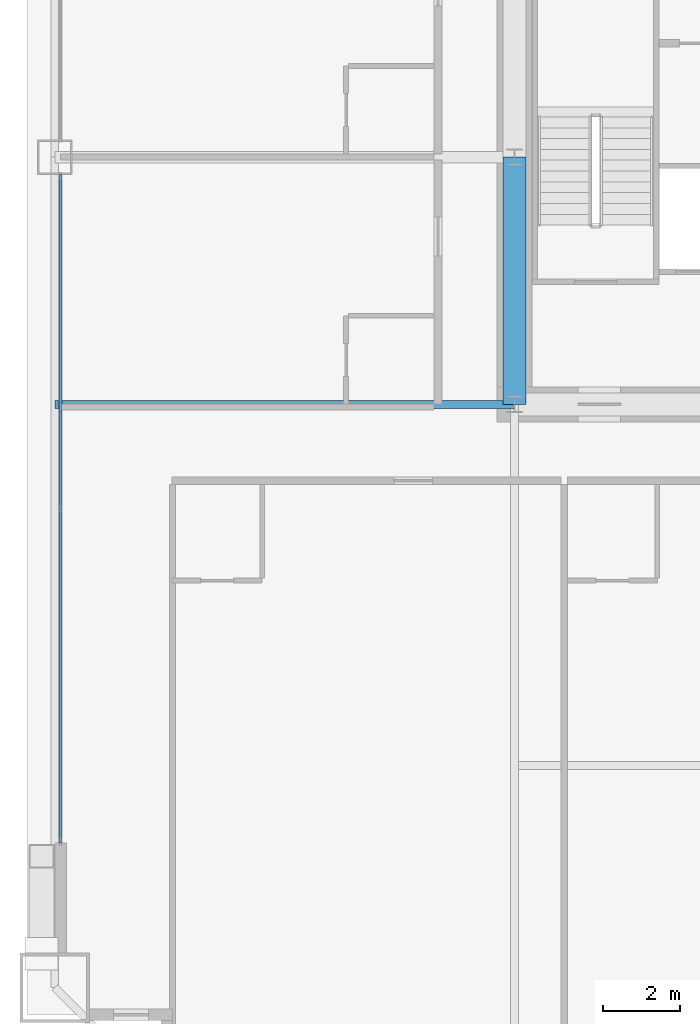
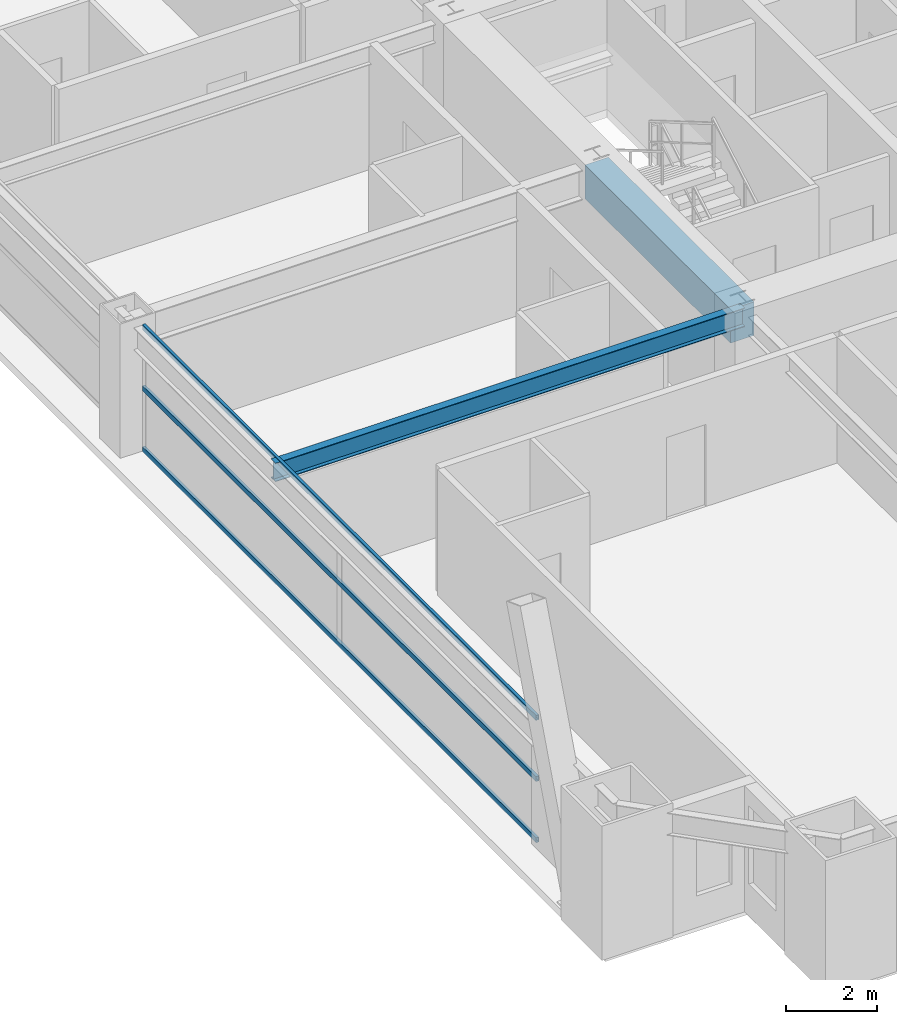
# One storey, part 10 of 43: 3 members, 2 beams, 1 element without a shape of its own.
"""IFC4 building model written with IfcOpenShell, lengths in metres."""

from ifc_helpers import new_model, si_unit, direction, frame, origin, origin_2d, place, context, subcontext, project, spatial, rectangle, hollow_rectangle, i_section, extrude, source, transform, mapped, material, layer, layer_set, material_profile, profile_set, type_object, element, aggregate, save


model = new_model("IFC4")

# Units and contexts
model_context = context("Model", 3, precision=1e-05, world=origin(), true_north=direction((0.0, 1.0)))
body_context = subcontext(model_context, "Body", "Model", "MODEL_VIEW")
ifc_project = project(units=[si_unit("LENGTHUNIT", "METRE"), si_unit("AREAUNIT", "SQUARE_METRE"), si_unit("VOLUMEUNIT", "CUBIC_METRE"), si_unit("PLANEANGLEUNIT", "RADIAN"), si_unit("MASSUNIT", "GRAM", prefix="KILO"), si_unit("THERMODYNAMICTEMPERATUREUNIT", "KELVIN"), si_unit("POWERUNIT", "WATT")], contexts=[model_context])

# Site, building, storey
site_placement = place(None, origin())
site = spatial("IfcSite", under=ifc_project, at=site_placement, CompositionType="ELEMENT")
building_placement = place(site_placement, origin())
building = spatial("IfcBuilding", under=site, at=building_placement, Name="Yuzanri Waterfront Tower", CompositionType="ELEMENT")
storey_placement = place(building_placement, frame((0.0, 0.0, 53.199951171875)))
storey = spatial("IfcBuildingStorey", under=building, at=storey_placement, Name="L13", CompositionType="ELEMENT", Elevation=53.199951171875)

# Beams
ifc_material_1 = material(Name="Concrete C60", Category="concrete")
ifc_material_profile_1 = material_profile(ifc_material_1, rectangle(XDim=0.60009765625, YDim=0.89990234375, at=origin_2d()), Name="RC 600x900")
ifc_profile_set_1 = profile_set([ifc_material_profile_1], Name="Concrete C60")
beam_type_1 = type_object("IfcBeamType", Name="Core Coupling Lintel Concrete C60 600x900", PredefinedType="LINTEL", material=ifc_profile_set_1)
shared_shape_1 = source(origin(), body_context, "Body", "SweptSolid", [
    extrude(rectangle(XDim=0.60009765625, YDim=0.89990234375, at=origin_2d()), origin(), (0.0, 0.0, 1.0), 6.400146484375),
])
beam_1_placement = place(storey_placement, frame((23.800048828125, 19.39990234375, 2.929931640625), z_axis=(0.0, 1.0, 0.0), x_axis=(-1.0, 0.0, 0.0)))
element("IfcBeam", 1, at=beam_1_placement, inside=storey, type_object=beam_type_1, Name="L13 Core Tie Beam CW1", PredefinedType="LINTEL", context=body_context, shape_type="MappedRepresentation", body=[
    mapped(shared_shape_1, transform((0.0, 0.0, 0.0), scale=1.0)),
])
ifc_material_2 = material(Name="Steel Q355B", Category="steel")
ifc_material_profile_2 = material_profile(ifc_material_2, i_section(OverallWidth=0.199951171875, OverallDepth=0.5, WebThickness=0.010009765625, FlangeThickness=0.01611328125, at=origin_2d()), Name="HN 500x200x10x16")
ifc_profile_set_2 = profile_set([ifc_material_profile_2], Name="Steel Q355B")
beam_type_2 = type_object("IfcBeamType", Name="Secondary Floor Beam Q355B HN 500x200", PredefinedType="BEAM", material=ifc_profile_set_2)
shared_shape_2 = source(origin(), body_context, "Body", "SweptSolid", [
    extrude(i_section(OverallWidth=0.199951171875, OverallDepth=0.5, WebThickness=0.010009765625, FlangeThickness=0.01611328125, at=origin_2d()), origin(), (0.0, 0.0, 1.0), 11.900146484375),
])
beam_2_placement = place(storey_placement, frame((23.800048828125, 19.39990234375, 3.130126953125), z_axis=(-1.0, 0.0, 0.0), x_axis=(0.0, -1.0, 0.0)))
element("IfcBeam", 2, at=beam_2_placement, inside=storey, type_object=beam_type_2, Name="L13 West-South Core Line Beam", PredefinedType="BEAM", context=body_context, shape_type="MappedRepresentation", body=[
    mapped(shared_shape_2, transform((0.0, 0.0, 0.0), scale=1.0)),
])

# Curtain wall, members
ifc_material_3 = material(Name="Anodized Architectural Bronze", Category="metal")
ifc_layer = layer(ifc_material_3, 0.159912109375)
ifc_layer_set = layer_set([ifc_layer], Name="Anodized Architectural Bronze")
curtain_wall_type = type_object("IfcCurtainWallType", Name="Anodized Bronze Hotel Lower-Tier Recessed Unitized Curtain Wall 8100", PredefinedType="NOTDEFINED", material=ifc_layer_set)
curtain_wall_placement = place(storey_placement, origin())
curtain_wall = element("IfcCurtainWall", 3, at=curtain_wall_placement, inside=storey, type_object=curtain_wall_type, Name="L13 Curtain Wall CW-L13-WL", PredefinedType="NOTDEFINED")
ifc_material_4 = material(Name="Anodized Architectural Bronze", Category="metal")
ifc_material_profile_3 = material_profile(ifc_material_4, hollow_rectangle(XDim=0.070068359375, YDim=0.135009765625, WallThickness=0.00341796875, at=origin_2d()), Name="CWT 70x135")
ifc_profile_set_3 = profile_set([ifc_material_profile_3], Name="Anodized Architectural Bronze")
member_type = type_object("IfcMemberType", Name="Anodized Bronze Standard Curtain-Wall Transom 70x135", PredefinedType="USERDEFINED", material=ifc_profile_set_3)
shared_shape_3 = source(origin(), body_context, "Body", "SweptSolid", [
    extrude(hollow_rectangle(XDim=0.070068359375, YDim=0.135009765625, WallThickness=0.00341796875, at=origin_2d()), origin(), (0.0, 0.0, 1.0), 17.300048828125),
])
member_1_placement = place(storey_placement, frame((12.050048828125, 8.050048828125, 0.050048828125), z_axis=(0.0, 1.0, 0.0), x_axis=(-1.0, 0.0, 0.0)))
member_1 = element("IfcMember", 4, at=member_1_placement, type_object=member_type, Name="CW-L13-WL Transom 1", ObjectType="TRANSOM", PredefinedType="USERDEFINED", context=body_context, shape_type="MappedRepresentation", body=[
    mapped(shared_shape_3, transform((0.0, 0.0, 0.0), scale=1.0)),
])
member_2_placement = place(storey_placement, frame((12.050048828125, 8.050048828125, 1.68994140625), z_axis=(0.0, 1.0, 0.0), x_axis=(-1.0, 0.0, 0.0)))
member_2 = element("IfcMember", 5, at=member_2_placement, type_object=member_type, Name="CW-L13-WL Transom 2", ObjectType="TRANSOM", PredefinedType="USERDEFINED", context=body_context, shape_type="MappedRepresentation", body=[
    mapped(shared_shape_3, transform((0.0, 0.0, 0.0), scale=1.0)),
])
member_3_placement = place(storey_placement, frame((12.050048828125, 8.050048828125, 3.330078125), z_axis=(0.0, 1.0, 0.0), x_axis=(-1.0, 0.0, 0.0)))
member_3 = element("IfcMember", 6, at=member_3_placement, type_object=member_type, Name="CW-L13-WL Transom 3", ObjectType="TRANSOM", PredefinedType="USERDEFINED", context=body_context, shape_type="MappedRepresentation", body=[
    mapped(shared_shape_3, transform((0.0, 0.0, 0.0), scale=1.0)),
])
aggregate(curtain_wall, [member_1, member_2, member_3])

save(model, "model.ifc")
